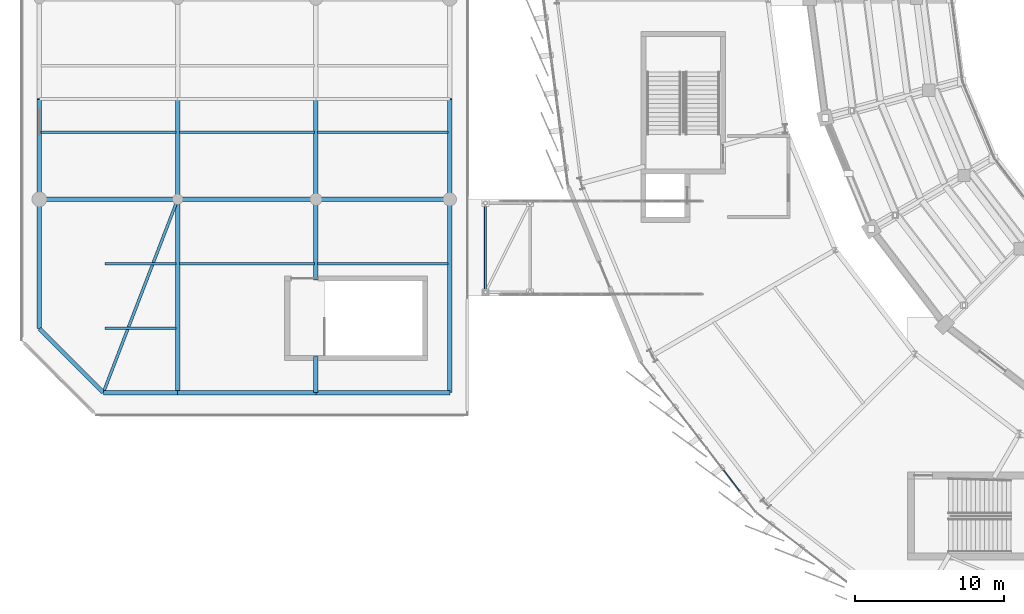
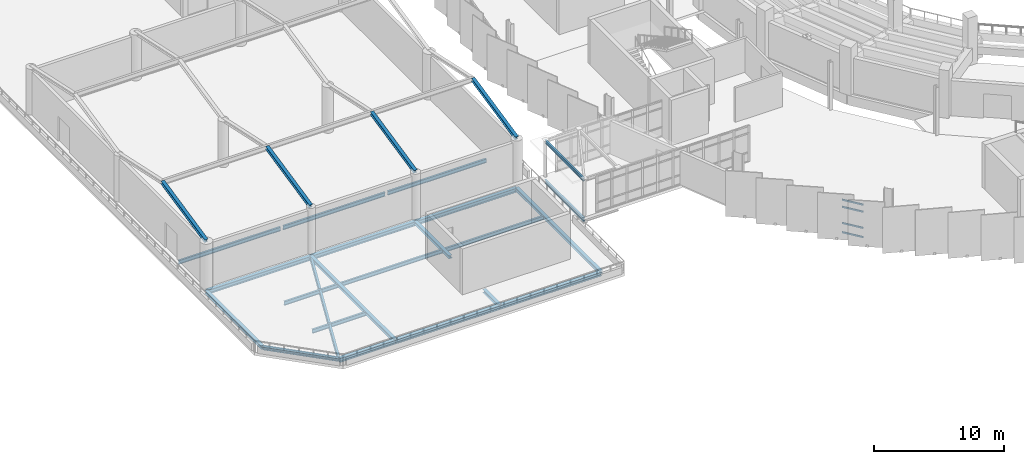
# One storey, part 25 of 120: 26 beams, 4 members, 1 element without a shape of its own.
"""IFC4 building model written with IfcOpenShell, lengths in metres."""

from ifc_helpers import new_model, si_unit, direction, frame, origin, origin_2d, place, context, subcontext, project, spatial, rectangle, i_section, extrude, material, layer, layer_set, material_profile, profile_set, type_object, element, aggregate, save


model = new_model("IFC4")

# Units and contexts
model_context = context("Model", 3, precision=1e-05, world=origin(), true_north=direction((0.0, 1.0)))
body_context = subcontext(model_context, "Body", "Model", "MODEL_VIEW")
ifc_project = project(units=[si_unit("LENGTHUNIT", "METRE"), si_unit("AREAUNIT", "SQUARE_METRE"), si_unit("VOLUMEUNIT", "CUBIC_METRE"), si_unit("PLANEANGLEUNIT", "RADIAN"), si_unit("MASSUNIT", "GRAM", prefix="KILO")], contexts=[model_context])

# Site, building, storey
site_placement = place(None, origin())
site = spatial("IfcSite", under=ifc_project, at=site_placement, CompositionType="ELEMENT")
building_placement = place(site_placement, origin())
building = spatial("IfcBuilding", under=site, at=building_placement, Name="Sohan Crest Arena", CompositionType="ELEMENT")
storey_placement = place(building_placement, frame((0.0, 0.0, 13.5)))
storey = spatial("IfcBuildingStorey", under=building, at=storey_placement, Name="L03", CompositionType="ELEMENT", Elevation=13.5)

# Curtain wall, members
ifc_material_1 = material(Name="Thermally broken anodised aluminium", Category="aluminium")
ifc_layer = layer(ifc_material_1, 0.219970703125, Name="Thermally broken anodised aluminium")
ifc_layer_set = layer_set([ifc_layer], Name="Thermally broken anodised aluminium")
curtain_wall_type = type_object("IfcCurtainWallType", Name="ARC-CW03", PredefinedType="NOTDEFINED", material=ifc_layer_set)
curtain_wall_placement = place(storey_placement, origin())
curtain_wall = element("IfcCurtainWall", 1, at=curtain_wall_placement, inside=storey, type_object=curtain_wall_type, Name="Unitised curtain wall CW-086", PredefinedType="NOTDEFINED")
ifc_material_profile_1 = material_profile(ifc_material_1, rectangle(XDim=0.070068359375, YDim=0.14990234375, at=origin_2d()), Name="ALU-TRAN 70x150")
ifc_profile_set_1 = profile_set([ifc_material_profile_1], Name="Thermally broken anodised aluminium")
member_type = type_object("IfcMemberType", Name="ARC-CW-TR03", PredefinedType="USERDEFINED", material=ifc_profile_set_1)
member_1_placement = place(storey_placement, frame((61.219970703125, 46.2919921875, 0.034912109375), z_axis=(0.608733699562, -0.793374617074, 0.0), x_axis=(0.793374617074, 0.608733699562, 0.0)))
member_1 = element("IfcMember", 2, at=member_1_placement, type_object=member_type, Name="CW-086 transom 6.1", ObjectType="TRANSOM", PredefinedType="USERDEFINED", context=body_context, shape_type="SweptSolid", body=[
    extrude(rectangle(XDim=0.070068359375, YDim=0.14990234375, at=origin_2d()), origin(), (0.0, 0.0, 1.0), 1.763916015625),
])
member_2_placement = place(storey_placement, frame((61.219970703125, 46.2919921875, 0.89990234375), z_axis=(0.608733699562, -0.793374617074, 0.0), x_axis=(0.793374617074, 0.608733699562, 0.0)))
member_2 = element("IfcMember", 3, at=member_2_placement, type_object=member_type, Name="CW-086 transom 6.2", ObjectType="TRANSOM", PredefinedType="USERDEFINED", context=body_context, shape_type="SweptSolid", body=[
    extrude(rectangle(XDim=0.070068359375, YDim=0.14990234375, at=origin_2d()), origin(), (0.0, 0.0, 1.0), 1.763916015625),
])
member_3_placement = place(storey_placement, frame((61.219970703125, 46.2919921875, 2.419921875), z_axis=(0.608733699562, -0.793374617074, 0.0), x_axis=(0.793374617074, 0.608733699562, 0.0)))
member_3 = element("IfcMember", 4, at=member_3_placement, type_object=member_type, Name="CW-086 transom 6.3", ObjectType="TRANSOM", PredefinedType="USERDEFINED", context=body_context, shape_type="SweptSolid", body=[
    extrude(rectangle(XDim=0.070068359375, YDim=0.14990234375, at=origin_2d()), origin(), (0.0, 0.0, 1.0), 1.763916015625),
])
member_4_placement = place(storey_placement, frame((61.219970703125, 46.2919921875, 3.0849609375), z_axis=(0.608733699562, -0.793374617074, 0.0), x_axis=(0.793374617074, 0.608733699562, 0.0)))
member_4 = element("IfcMember", 5, at=member_4_placement, type_object=member_type, Name="CW-086 transom 6.4", ObjectType="TRANSOM", PredefinedType="USERDEFINED", context=body_context, shape_type="SweptSolid", body=[
    extrude(rectangle(XDim=0.070068359375, YDim=0.14990234375, at=origin_2d()), origin(), (0.0, 0.0, 1.0), 1.763916015625),
])
aggregate(curtain_wall, [member_1, member_2, member_3, member_4])

# Beams
ifc_material_2 = material(Name="Steel S355", Category="steel")
ifc_material_profile_2 = material_profile(ifc_material_2, i_section(OverallWidth=0.14990234375, OverallDepth=0.300048828125, WebThickness=0.007080078125, FlangeThickness=0.0107421875, at=origin_2d()), Name="IPE 300")
ifc_profile_set_2 = profile_set([ifc_material_profile_2], Name="Steel S355")
beam_type_1 = type_object("IfcBeamType", Name="STR-BM-B01", PredefinedType="JOIST", material=ifc_profile_set_2)
beam_1_placement = place(storey_placement, frame((45.199951171875, 58.25, 3.324951171875), z_axis=(0.0, 1.0, 0.0), x_axis=(-1.0, 0.0, 0.0)))
element("IfcBeam", 6, at=beam_1_placement, inside=storey, type_object=beam_type_1, Name="Structural beam BRG-L03-2938", PredefinedType="JOIST", context=body_context, shape_type="SweptSolid", body=[
    extrude(i_section(OverallWidth=0.14990234375, OverallDepth=0.300048828125, WebThickness=0.007080078125, FlangeThickness=0.0107421875, at=origin_2d()), origin(), (0.0, 0.0, 1.0), 6.0),
])
ifc_material_profile_3 = material_profile(ifc_material_2, i_section(OverallWidth=0.169921875, OverallDepth=0.360107421875, WebThickness=0.008056640625, FlangeThickness=0.0126953125, at=origin_2d()), Name="IPE 360")
ifc_profile_set_3 = profile_set([ifc_material_profile_3], Name="Steel S355")
beam_type_2 = type_object("IfcBeamType", Name="STR-BM-B02", PredefinedType="JOIST", material=ifc_profile_set_3)
for number, where, z_axis, x_axis, name in (
    (7, (19.610107421875, 55.8330078125, -0.4951171875), (1.0, 0.0, 0.0), (0.0, 1.0, 0.0), "Structural beam J-L03-2108"),
    (8, (19.610107421875, 60.1669921875, -0.4951171875), (1.0, 0.0, 0.0), (0.0, 1.0, 0.0), "Structural beam J-L03-2109"),
):
    element("IfcBeam", number, at=place(storey_placement, frame(where, z_axis=z_axis, x_axis=x_axis)), inside=storey, type_object=beam_type_2, Name=name, PredefinedType="JOIST", context=body_context, shape_type="SweptSolid", body=[
        extrude(i_section(OverallWidth=0.169921875, OverallDepth=0.360107421875, WebThickness=0.008056640625, FlangeThickness=0.0126953125, at=origin_2d()), origin(), (0.0, 0.0, 1.0), 4.77978515625),
    ])
beam_2_placement = place(storey_placement, frame((24.610107421875, 60.1669921875, -0.4951171875), z_axis=(1.0, 0.0, 0.0), x_axis=(0.0, 1.0, 0.0)))
element("IfcBeam", 9, at=beam_2_placement, inside=storey, type_object=beam_type_2, Name="Structural beam J-L03-2111", PredefinedType="JOIST", context=body_context, shape_type="SweptSolid", body=[
    extrude(i_section(OverallWidth=0.169921875, OverallDepth=0.360107421875, WebThickness=0.008056640625, FlangeThickness=0.0126953125, at=origin_2d()), origin(), (0.0, 0.0, 1.0), 9.079833984375),
])
beam_3_placement = place(storey_placement, frame((33.909912109375, 60.1669921875, -0.4951171875), z_axis=(1.0, 0.0, 0.0), x_axis=(0.0, 1.0, 0.0)))
element("IfcBeam", 10, at=beam_3_placement, inside=storey, type_object=beam_type_2, Name="Structural beam J-L03-2113", PredefinedType="JOIST", context=body_context, shape_type="SweptSolid", body=[
    extrude(i_section(OverallWidth=0.169921875, OverallDepth=0.360107421875, WebThickness=0.008056640625, FlangeThickness=0.0126953125, at=origin_2d()), origin(), (0.0, 0.0, 1.0), 8.780029296875),
])
for number, where, z_axis, x_axis, name in (
    (11, (15.31005859375, 69.0, -0.4951171875), (1.0, 0.0, 0.0), (0.0, 1.0, 0.0), "Structural beam J-L03-2115"),
    (12, (24.610107421875, 69.0, -0.4951171875), (1.0, 0.0, 0.0), (0.0, 1.0, 0.0), "Structural beam J-L03-2118"),
):
    element("IfcBeam", number, at=place(storey_placement, frame(where, z_axis=z_axis, x_axis=x_axis)), inside=storey, type_object=beam_type_2, Name=name, PredefinedType="JOIST", context=body_context, shape_type="SweptSolid", body=[
        extrude(i_section(OverallWidth=0.169921875, OverallDepth=0.360107421875, WebThickness=0.008056640625, FlangeThickness=0.0126953125, at=origin_2d()), origin(), (0.0, 0.0, 1.0), 9.079833984375),
    ])
beam_4_placement = place(storey_placement, frame((33.909912109375, 69.0, -0.4951171875), z_axis=(1.0, 0.0, 0.0), x_axis=(0.0, 1.0, 0.0)))
element("IfcBeam", 13, at=beam_4_placement, inside=storey, type_object=beam_type_2, Name="Structural beam J-L03-2121", PredefinedType="JOIST", context=body_context, shape_type="SweptSolid", body=[
    extrude(i_section(OverallWidth=0.169921875, OverallDepth=0.360107421875, WebThickness=0.008056640625, FlangeThickness=0.0126953125, at=origin_2d()), origin(), (0.0, 0.0, 1.0), 8.780029296875),
])
beam_5_placement = place(storey_placement, frame((45.199951171875, 58.25, -0.455078125), z_axis=(0.0, 1.0, 0.0), x_axis=(-1.0, 0.0, 0.0)))
element("IfcBeam", 14, at=beam_5_placement, inside=storey, type_object=beam_type_2, Name="Structural beam BG-L03-2934", PredefinedType="JOIST", context=body_context, shape_type="SweptSolid", body=[
    extrude(i_section(OverallWidth=0.169921875, OverallDepth=0.360107421875, WebThickness=0.008056640625, FlangeThickness=0.0126953125, at=origin_2d()), origin(), (0.0, 0.0, 1.0), 6.0),
])
ifc_material_profile_4 = material_profile(ifc_material_2, i_section(OverallWidth=0.18994140625, OverallDepth=0.449951171875, WebThickness=0.009521484375, FlangeThickness=0.0146484375, at=origin_2d()), Name="IPE 450")
ifc_profile_set_4 = profile_set([ifc_material_profile_4], Name="Steel S355")
beam_type_3 = type_object("IfcBeamType", Name="STR-BM-B04", PredefinedType="JOIST", material=ifc_profile_set_4)
beam_6_placement = place(storey_placement, frame((19.5390625, 51.60302734375, -0.5400390625), z_axis=(0.359050685685, 0.933318062136, 0.0), x_axis=(-0.933318062136, 0.359050685685, 0.0)))
element("IfcBeam", 15, at=beam_6_placement, inside=storey, type_object=beam_type_3, Name="Structural beam J-L03-2144", PredefinedType="JOIST", context=body_context, shape_type="SweptSolid", body=[
    extrude(i_section(OverallWidth=0.18994140625, OverallDepth=0.449951171875, WebThickness=0.009521484375, FlangeThickness=0.0146484375, at=origin_2d()), origin(), (0.0, 0.0, 1.0), 13.7080078125),
])
ifc_material_profile_5 = material_profile(ifc_material_2, i_section(OverallWidth=0.300048828125, OverallDepth=0.2900390625, WebThickness=0.008544921875, FlangeThickness=0.013916015625, at=origin_2d()), Name="HEA 300")
ifc_profile_set_5 = profile_set([ifc_material_profile_5], Name="Steel S355")
beam_type_4 = type_object("IfcBeamType", Name="STR-BM-B08", PredefinedType="BEAM", material=ifc_profile_set_5)
beam_7_placement = place(storey_placement, frame((15.199951171875, 55.800048828125, -0.4599609375), z_axis=(0.0, 1.0, 0.0), x_axis=(-1.0, 0.0, 0.0)))
element("IfcBeam", 16, at=beam_7_placement, inside=storey, type_object=beam_type_4, Name="Structural beam G-L03-2089", PredefinedType="BEAM", context=body_context, shape_type="SweptSolid", body=[
    extrude(i_section(OverallWidth=0.300048828125, OverallDepth=0.2900390625, WebThickness=0.008544921875, FlangeThickness=0.013916015625, at=origin_2d()), origin(), (0.0, 0.0, 1.0), 8.699951171875),
])
beam_8_placement = place(storey_placement, frame((24.5, 51.5, -0.4599609375), z_axis=(0.0, 1.0, 0.0), x_axis=(-1.0, 0.0, 0.0)))
element("IfcBeam", 17, at=beam_8_placement, inside=storey, type_object=beam_type_4, Name="Structural beam G-L03-2093", PredefinedType="BEAM", context=body_context, shape_type="SweptSolid", body=[
    extrude(i_section(OverallWidth=0.300048828125, OverallDepth=0.2900390625, WebThickness=0.008544921875, FlangeThickness=0.013916015625, at=origin_2d()), origin(), (0.0, 0.0, 1.0), 13.0),
])
beam_9_placement = place(storey_placement, frame((33.800048828125, 51.5, -0.4599609375), z_axis=(0.0, 1.0, 0.0), x_axis=(-1.0, 0.0, 0.0)))
element("IfcBeam", 18, at=beam_9_placement, inside=storey, type_object=beam_type_4, Name="Structural beam G-L03-2097", PredefinedType="BEAM", context=body_context, shape_type="SweptSolid", body=[
    extrude(i_section(OverallWidth=0.300048828125, OverallDepth=0.2900390625, WebThickness=0.008544921875, FlangeThickness=0.013916015625, at=origin_2d()), origin(), (0.0, 0.0, 1.0), 2.419921875),
])
beam_10_placement = place(storey_placement, frame((33.800048828125, 59.080078125, -0.4599609375), z_axis=(0.0, 1.0, 0.0), x_axis=(-1.0, 0.0, 0.0)))
element("IfcBeam", 19, at=beam_10_placement, inside=storey, type_object=beam_type_4, Name="Structural beam G-L03-2098", PredefinedType="BEAM", context=body_context, shape_type="SweptSolid", body=[
    extrude(i_section(OverallWidth=0.300048828125, OverallDepth=0.2900390625, WebThickness=0.008544921875, FlangeThickness=0.013916015625, at=origin_2d()), origin(), (0.0, 0.0, 1.0), 5.419921875),
])
beam_11_placement = place(storey_placement, frame((42.800048828125, 51.5, -0.4599609375), z_axis=(0.0, 1.0, 0.0), x_axis=(-1.0, 0.0, 0.0)))
element("IfcBeam", 20, at=beam_11_placement, inside=storey, type_object=beam_type_4, Name="Structural beam G-L03-2103", PredefinedType="BEAM", context=body_context, shape_type="SweptSolid", body=[
    extrude(i_section(OverallWidth=0.300048828125, OverallDepth=0.2900390625, WebThickness=0.008544921875, FlangeThickness=0.013916015625, at=origin_2d()), origin(), (0.0, 0.0, 1.0), 13.0),
])
beam_12_placement = place(storey_placement, frame((15.199951171875, 55.800048828125, -0.4599609375), z_axis=(0.707106781187, -0.707106781187, 0.0), x_axis=(0.707106781187, 0.707106781187, 0.0)))
element("IfcBeam", 21, at=beam_12_placement, inside=storey, type_object=beam_type_4, Name="Structural beam G-L03-2142", PredefinedType="BEAM", context=body_context, shape_type="SweptSolid", body=[
    extrude(i_section(OverallWidth=0.300048828125, OverallDepth=0.2900390625, WebThickness=0.008544921875, FlangeThickness=0.013916015625, at=origin_2d()), origin(), (0.0, 0.0, 1.0), 6.081298828125),
])
for number, where, z_axis, x_axis, name in (
    (22, (15.199951171875, 64.5, 4.280029296875), (0.0, 0.977399163863, 0.211402162902), (-1.0, 0.0, 0.0), "Structural beam PVA-L03-2161"),
    (23, (24.5, 64.5, 4.280029296875), (0.0, 0.977399163863, 0.211402162902), (-1.0, 0.0, 0.0), "Structural beam PVA-L03-2163"),
    (24, (33.800048828125, 64.5, 4.280029296875), (0.0, 0.977399163863, 0.211402162902), (-1.0, 0.0, 0.0), "Structural beam PVA-L03-2165"),
    (25, (42.800048828125, 64.5, 4.280029296875), (0.0, 0.977399163863, 0.211402162902), (-1.0, 0.0, 0.0), "Structural beam PVA-L03-2167"),
):
    element("IfcBeam", number, at=place(storey_placement, frame(where, z_axis=z_axis, x_axis=x_axis)), inside=storey, type_object=beam_type_4, Name=name, PredefinedType="BEAM", context=body_context, shape_type="SweptSolid", body=[
        extrude(i_section(OverallWidth=0.300048828125, OverallDepth=0.2900390625, WebThickness=0.008544921875, FlangeThickness=0.013916015625, at=origin_2d()), origin(), (0.0, 0.0, 1.0), 6.906005859375),
    ])
ifc_material_profile_6 = material_profile(ifc_material_2, i_section(OverallWidth=0.300048828125, OverallDepth=0.389892578125, WebThickness=0.010986328125, FlangeThickness=0.01904296875, at=origin_2d()), Name="HEA 400")
ifc_profile_set_6 = profile_set([ifc_material_profile_6], Name="Steel S355")
beam_type_5 = type_object("IfcBeamType", Name="STR-BM-B09", PredefinedType="BEAM", material=ifc_profile_set_6)
beam_13_placement = place(storey_placement, frame((19.5, 51.5, -0.510009765625), z_axis=(1.0, 0.0, 0.0), x_axis=(0.0, 1.0, 0.0)))
element("IfcBeam", 26, at=beam_13_placement, inside=storey, type_object=beam_type_5, Name="Structural beam G-L03-2107", PredefinedType="BEAM", context=body_context, shape_type="SweptSolid", body=[
    extrude(i_section(OverallWidth=0.300048828125, OverallDepth=0.389892578125, WebThickness=0.010986328125, FlangeThickness=0.01904296875, at=origin_2d()), origin(), (0.0, 0.0, 1.0), 5.0),
])
beam_14_placement = place(storey_placement, frame((24.5, 51.5, -0.510009765625), z_axis=(1.0, 0.0, 0.0), x_axis=(0.0, 1.0, 0.0)))
element("IfcBeam", 27, at=beam_14_placement, inside=storey, type_object=beam_type_5, Name="Structural beam G-L03-2110", PredefinedType="BEAM", context=body_context, shape_type="SweptSolid", body=[
    extrude(i_section(OverallWidth=0.300048828125, OverallDepth=0.389892578125, WebThickness=0.010986328125, FlangeThickness=0.01904296875, at=origin_2d()), origin(), (0.0, 0.0, 1.0), 9.300048828125),
])
beam_15_placement = place(storey_placement, frame((33.800048828125, 51.5, -0.510009765625), z_axis=(1.0, 0.0, 0.0), x_axis=(0.0, 1.0, 0.0)))
element("IfcBeam", 28, at=beam_15_placement, inside=storey, type_object=beam_type_5, Name="Structural beam G-L03-2112", PredefinedType="BEAM", context=body_context, shape_type="SweptSolid", body=[
    extrude(i_section(OverallWidth=0.300048828125, OverallDepth=0.389892578125, WebThickness=0.010986328125, FlangeThickness=0.01904296875, at=origin_2d()), origin(), (0.0, 0.0, 1.0), 9.0),
])
for number, where, z_axis, x_axis, name in (
    (29, (15.199951171875, 64.5, -0.510009765625), (1.0, 0.0, 0.0), (0.0, 1.0, 0.0), "Structural beam G-L03-2114"),
    (30, (24.5, 64.5, -0.510009765625), (1.0, 0.0, 0.0), (0.0, 1.0, 0.0), "Structural beam G-L03-2117"),
):
    element("IfcBeam", number, at=place(storey_placement, frame(where, z_axis=z_axis, x_axis=x_axis)), inside=storey, type_object=beam_type_5, Name=name, PredefinedType="BEAM", context=body_context, shape_type="SweptSolid", body=[
        extrude(i_section(OverallWidth=0.300048828125, OverallDepth=0.389892578125, WebThickness=0.010986328125, FlangeThickness=0.01904296875, at=origin_2d()), origin(), (0.0, 0.0, 1.0), 9.300048828125),
    ])
beam_16_placement = place(storey_placement, frame((33.800048828125, 64.5, -0.510009765625), z_axis=(1.0, 0.0, 0.0), x_axis=(0.0, 1.0, 0.0)))
element("IfcBeam", 31, at=beam_16_placement, inside=storey, type_object=beam_type_5, Name="Structural beam G-L03-2120", PredefinedType="BEAM", context=body_context, shape_type="SweptSolid", body=[
    extrude(i_section(OverallWidth=0.300048828125, OverallDepth=0.389892578125, WebThickness=0.010986328125, FlangeThickness=0.01904296875, at=origin_2d()), origin(), (0.0, 0.0, 1.0), 9.0),
])

save(model, "model.ifc")
